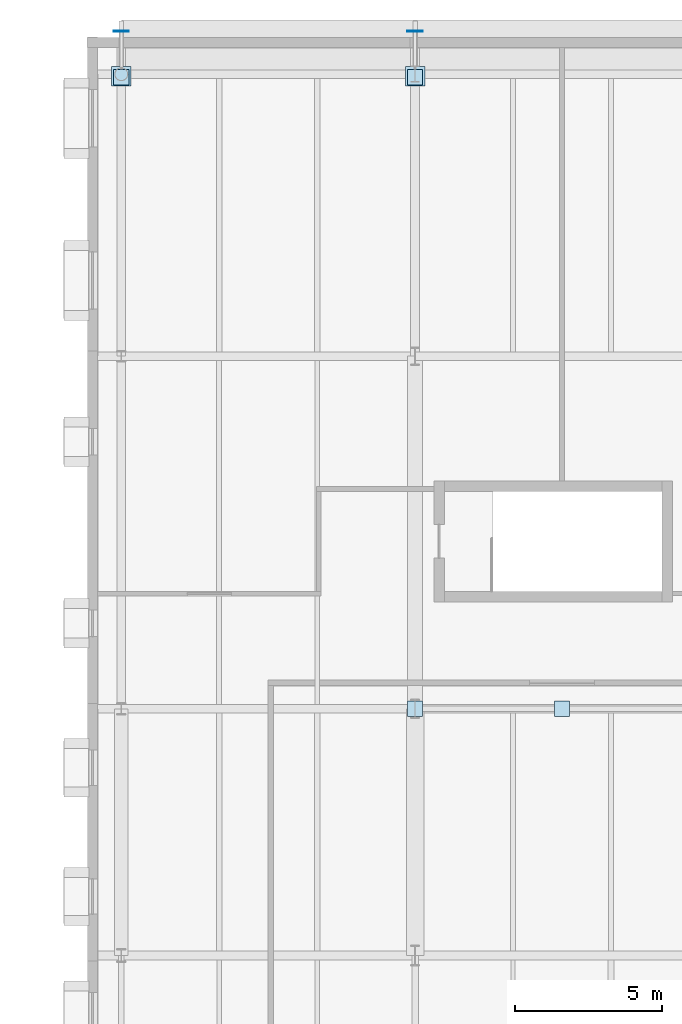
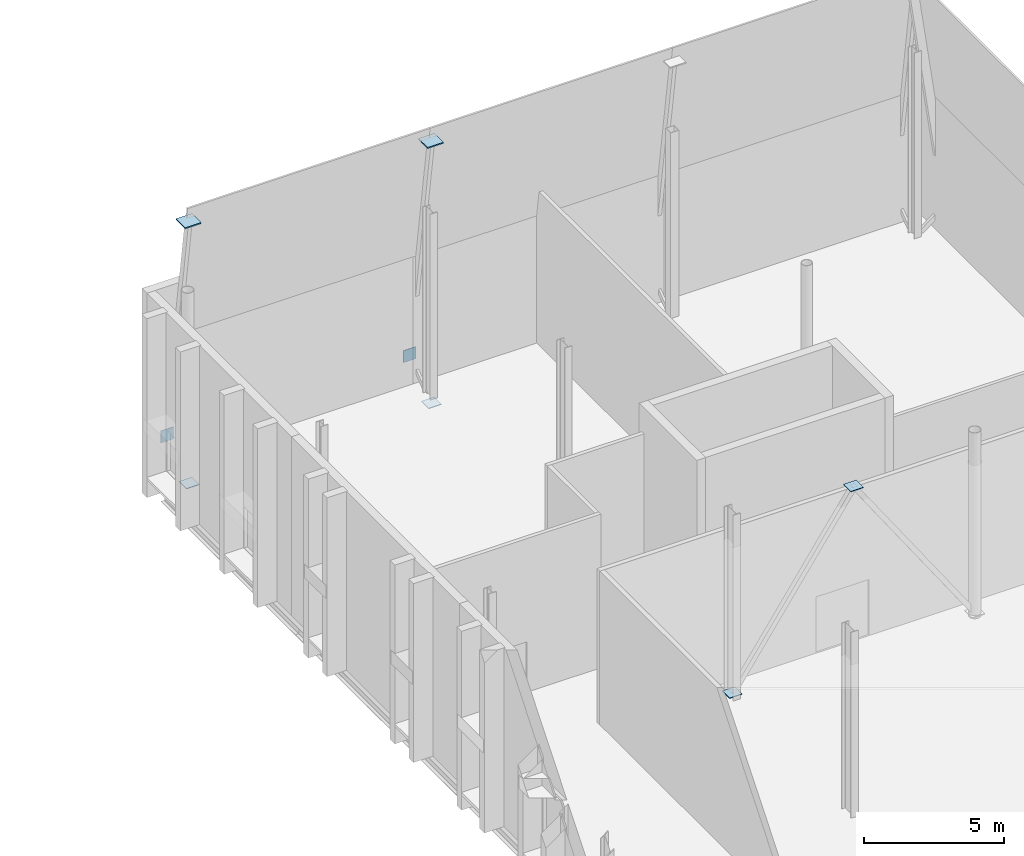
# One storey, part 52 of 79: 8 plates.
"""IFC4 building model written with IfcOpenShell, lengths in metres."""

from ifc_helpers import new_model, si_unit, direction, frame, origin, origin_2d, place, context, subcontext, project, spatial, rectangle, extrude, material, layer, layer_set, type_object, element, save


model = new_model("IFC4")

# Units and contexts
model_context = context("Model", 3, precision=1e-05, world=origin(), true_north=direction((0.0, 1.0)))
body_context = subcontext(model_context, "Body", "Model", "MODEL_VIEW")
ifc_project = project(units=[si_unit("LENGTHUNIT", "METRE"), si_unit("AREAUNIT", "SQUARE_METRE"), si_unit("VOLUMEUNIT", "CUBIC_METRE"), si_unit("PLANEANGLEUNIT", "RADIAN"), si_unit("MASSUNIT", "GRAM", prefix="KILO")], contexts=[model_context])

# Site, building, storey
site_placement = place(None, origin())
site = spatial("IfcSite", under=ifc_project, at=site_placement, CompositionType="ELEMENT")
building_placement = place(site_placement, origin())
building = spatial("IfcBuilding", under=site, at=building_placement, Name="Zereglee Splitstone Museum", CompositionType="ELEMENT")
storey_placement = place(building_placement, frame((0.0, 0.0, 9.0)))
storey = spatial("IfcBuildingStorey", under=building, at=storey_placement, Name="L02", CompositionType="ELEMENT", Elevation=9.0)

# Plates
ifc_material = material(Name="Steel S355J2", Category="steel")
ifc_layer_1 = layer(ifc_material, 0.030029296875)
ifc_layer_set_1 = layer_set([ifc_layer_1], Name="Steel S355J2")
plate_type_1 = type_object("IfcPlateType", Name="NP-04", PredefinedType="SHEET", material=ifc_layer_set_1)
for number, where, z_axis, x_axis, name in (
    (1, (185.199951171875, 38.39990234375, 0.10498046875), (0.0, 0.0, 1.0), (1.0, 0.0, 0.0), "CBF Brace Gusset Cap L02-021"),
    (2, (190.199951171875, 38.39990234375, 7.36474609375), (0.0, 0.0, 1.0), (1.0, 0.0, 0.0), "CBF Brace Gusset Cap L02-021"),
    (3, (175.199951171875, 59.89990234375, -0.294921875), (0.0, 0.0, 1.0), (1.0, 0.0, 0.0), "Facet Tie Seal Plate FH-V4N"),
):
    element("IfcPlate", number, at=place(storey_placement, frame(where, z_axis=z_axis, x_axis=x_axis)), inside=storey, type_object=plate_type_1, Name=name, PredefinedType="SHEET", context=body_context, shape_type="SweptSolid", body=[
        extrude(rectangle(XDim=0.52001953125, YDim=0.52001953125, at=origin_2d()), origin(), (0.0, 0.0, 1.0), 0.030029296875),
    ])
plate_1_placement = place(storey_placement, frame((175.199951171875, 61.465576171875, 0.619873046875), z_axis=(0.0, 0.0, 1.0), x_axis=(1.0, 0.0, 0.0)))
element("IfcPlate", 4, at=plate_1_placement, inside=storey, type_object=plate_type_1, Name="Facet Tie Seal Plate FH-V4N", PredefinedType="SHEET", context=body_context, shape_type="SweptSolid", body=[
    extrude(rectangle(XDim=0.52001953125, YDim=0.030029296875, at=origin_2d()), origin(), (0.0, 0.0, 1.0), 0.52001953125),
])
plate_2_placement = place(storey_placement, frame((185.199951171875, 59.89990234375, -0.294921875), z_axis=(0.0, 0.0, 1.0), x_axis=(1.0, 0.0, 0.0)))
element("IfcPlate", 5, at=plate_2_placement, inside=storey, type_object=plate_type_1, Name="Facet Tie Seal Plate FH-V4N", PredefinedType="SHEET", context=body_context, shape_type="SweptSolid", body=[
    extrude(rectangle(XDim=0.52001953125, YDim=0.52001953125, at=origin_2d()), origin(), (0.0, 0.0, 1.0), 0.030029296875),
])
plate_3_placement = place(storey_placement, frame((185.199951171875, 61.465576171875, 0.619873046875), z_axis=(0.0, 0.0, 1.0), x_axis=(1.0, 0.0, 0.0)))
element("IfcPlate", 6, at=plate_3_placement, inside=storey, type_object=plate_type_1, Name="Facet Tie Seal Plate FH-V4N", PredefinedType="SHEET", context=body_context, shape_type="SweptSolid", body=[
    extrude(rectangle(XDim=0.52001953125, YDim=0.030029296875, at=origin_2d()), origin(), (0.0, 0.0, 1.0), 0.52001953125),
])
ifc_layer_2 = layer(ifc_material, 0.050048828125)
ifc_layer_set_2 = layer_set([ifc_layer_2], Name="Steel S355J2")
plate_type_2 = type_object("IfcPlateType", Name="NP-02", PredefinedType="SHEET", material=ifc_layer_set_2)
for number, where, z_axis, x_axis, name in (
    (7, (175.199951171875, 59.927978515625, 11.10498046875), (0.0, 0.0, 1.0), (1.0, 0.0, 0.0), "Facet Strut Seal Plate FH-V4N"),
    (8, (185.199951171875, 59.927978515625, 11.10498046875), (0.0, 0.0, 1.0), (1.0, 0.0, 0.0), "Facet Strut Seal Plate FH-V4N"),
):
    element("IfcPlate", number, at=place(storey_placement, frame(where, z_axis=z_axis, x_axis=x_axis)), inside=storey, type_object=plate_type_2, Name=name, PredefinedType="SHEET", context=body_context, shape_type="SweptSolid", body=[
        extrude(rectangle(XDim=0.659912109375, YDim=0.659912109375, at=origin_2d()), origin(), (0.0, 0.0, 1.0), 0.050048828125),
    ])

save(model, "model.ifc")
